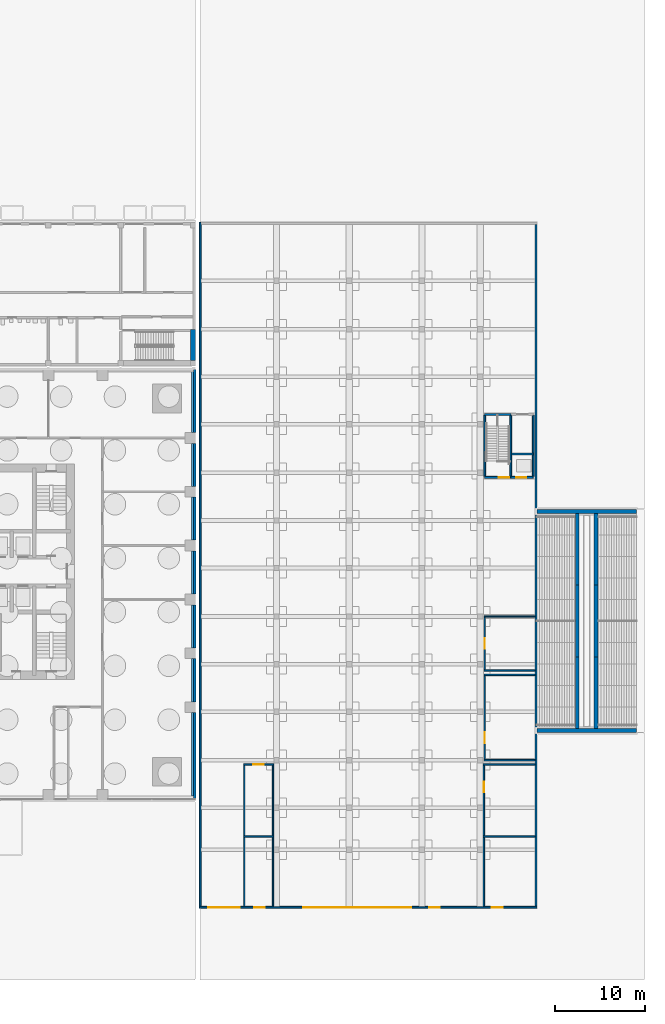
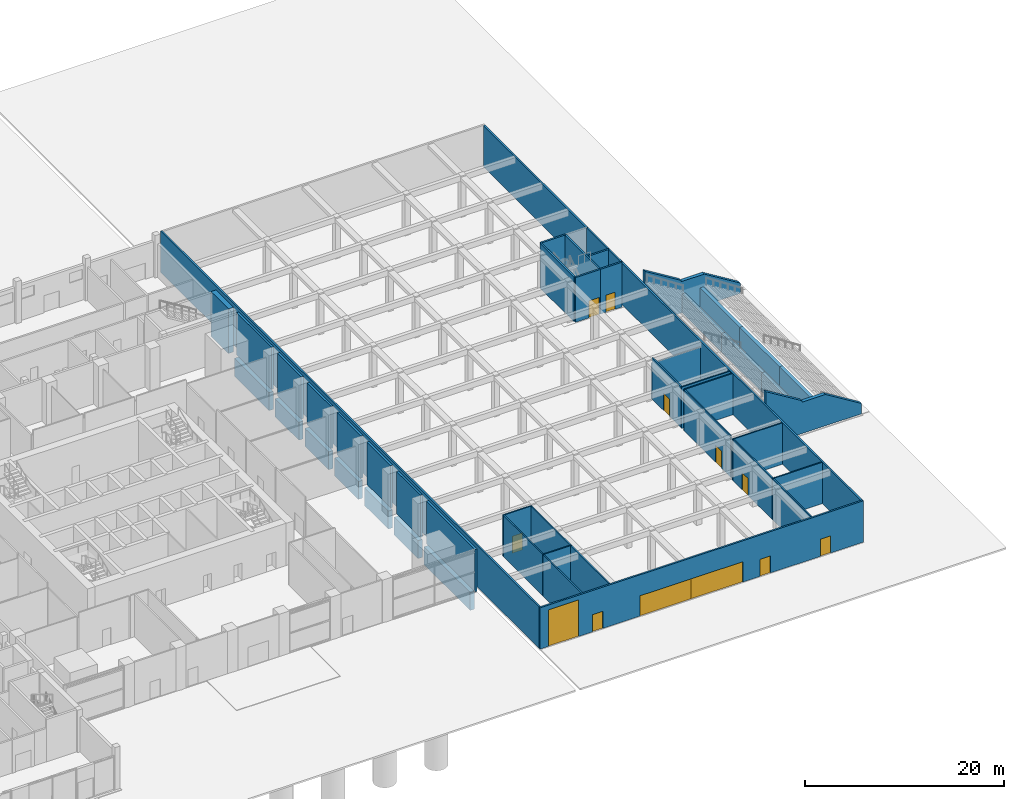
# One storey, part 17 of 33: 49 walls, 12 doors, 12 openings.
"""IFC4 building model written with IfcOpenShell, lengths in metres."""

from ifc_helpers import new_model, si_unit, direction, frame, frame_2d, origin, place, context, subcontext, project, spatial, polyline, rectangle, outline, extrude, material, layer, layer_set, type_object, element, fill, save


model = new_model("IFC4")

# Units and contexts
model_context = context("Model", 3, precision=1e-05, world=origin(), true_north=direction((0.0, 1.0)))
body_context = subcontext(model_context, "Body", "Model", "MODEL_VIEW")
ifc_project = project(units=[si_unit("LENGTHUNIT", "METRE"), si_unit("AREAUNIT", "SQUARE_METRE"), si_unit("VOLUMEUNIT", "CUBIC_METRE"), si_unit("PLANEANGLEUNIT", "RADIAN"), si_unit("MASSUNIT", "GRAM", prefix="KILO")], contexts=[model_context])

# Site, building, storey
site_placement = place(None, origin())
site = spatial("IfcSite", under=ifc_project, at=site_placement, CompositionType="ELEMENT")
building_placement = place(site_placement, origin())
building = spatial("IfcBuilding", under=site, at=building_placement, Name="Amberfall Residences", CompositionType="ELEMENT")
storey_placement = place(building_placement, origin())
storey = spatial("IfcBuildingStorey", under=building, at=storey_placement, Name="L00", CompositionType="ELEMENT", Elevation=0.0)

# Wall, openings, doors
ifc_material_1 = material(Name="Reinforced concrete C40", Category="concrete")
ifc_layer_1 = layer(ifc_material_1, 0.199951171875)
ifc_layer_set_1 = layer_set([ifc_layer_1], Name="Car park wall 200")
wall_type_1 = type_object("IfcWallType", Name="Car park wall 200", PredefinedType="SOLIDWALL", material=ifc_layer_set_1)
wall_1_placement = place(storey_placement, frame((100.39990234375, 8.10009765625, 0.0), z_axis=(0.0, 0.0, 1.0), x_axis=(1.0, 0.0, 0.0)))
wall_1 = element("IfcWall", 1, at=wall_1_placement, inside=storey, type_object=wall_type_1, Name="Car park south wall", PredefinedType="SOLIDWALL", context=body_context, shape_type="SweptSolid", body=[
    extrude(rectangle(XDim=37.60009765625, YDim=0.199951171875, at=frame_2d((18.800048828125, 0.0))), origin(), (0.0, 0.0, 1.0), 5.080078125),
])
opening_1_placement = place(wall_1_placement, frame((11.60009765625, 0.0, 0.0)))
opening_1 = element("IfcOpeningElement", 2, at=opening_1_placement, cuts=wall_1, Name="Opening D11", PredefinedType="OPENING", context=body_context, shape_type="SweptSolid", body=[
    extrude(rectangle(XDim=6.0, YDim=2.5, at=frame_2d((3.0, 1.25))), frame((0.0, 0.10986328125, 0.0), z_axis=(0.0, -1.0, 0.0), x_axis=(1.0, 0.0, 0.0)), (0.0, 0.0, 1.0), 0.219970703125),
])
opening_2_placement = place(wall_1_placement, frame((17.60009765625, 0.0, 0.0)))
opening_2 = element("IfcOpeningElement", 3, at=opening_2_placement, cuts=wall_1, Name="Opening D11", PredefinedType="OPENING", context=body_context, shape_type="SweptSolid", body=[
    extrude(rectangle(XDim=6.0, YDim=2.5, at=frame_2d((3.0, 1.25))), frame((0.0, 0.10986328125, 0.0), z_axis=(0.0, -1.0, 0.0), x_axis=(1.0, 0.0, 0.0)), (0.0, 0.0, 1.0), 0.219970703125),
])
opening_3_placement = place(wall_1_placement, frame((1.0, 0.0, 0.0)))
opening_3 = element("IfcOpeningElement", 4, at=opening_3_placement, cuts=wall_1, Name="Opening D10", PredefinedType="OPENING", context=body_context, shape_type="SweptSolid", body=[
    extrude(rectangle(XDim=3.5, YDim=4.5, at=frame_2d((1.75, 2.25))), frame((0.0, 0.10986328125, 0.0), z_axis=(0.0, -1.0, 0.0), x_axis=(1.0, 0.0, 0.0)), (0.0, 0.0, 1.0), 0.219970703125),
])
opening_4_placement = place(wall_1_placement, frame((25.60009765625, 0.0, 0.0)))
opening_4 = element("IfcOpeningElement", 5, at=opening_4_placement, cuts=wall_1, Name="Opening D15", PredefinedType="OPENING", context=body_context, shape_type="SweptSolid", body=[
    extrude(rectangle(XDim=1.199951171875, YDim=2.10009765625, at=frame_2d((0.60009765625, 1.050048828125))), frame((0.0, 0.10986328125, 0.0), z_axis=(0.0, -1.0, 0.0), x_axis=(1.0, 0.0, 0.0)), (0.0, 0.0, 1.0), 0.219970703125),
])
opening_5_placement = place(wall_1_placement, frame((6.10009765625, 0.0, 0.0)))
opening_5 = element("IfcOpeningElement", 6, at=opening_5_placement, cuts=wall_1, Name="Opening D14", PredefinedType="OPENING", context=body_context, shape_type="SweptSolid", body=[
    extrude(rectangle(XDim=1.199951171875, YDim=2.10009765625, at=frame_2d((0.60009765625, 1.050048828125))), frame((0.0, 0.10986328125, 0.0), z_axis=(0.0, -1.0, 0.0), x_axis=(1.0, 0.0, 0.0)), (0.0, 0.0, 1.0), 0.219970703125),
])
opening_6_placement = place(wall_1_placement, frame((32.60009765625, 0.0, 0.0)))
opening_6 = element("IfcOpeningElement", 7, at=opening_6_placement, cuts=wall_1, Name="Opening D14", PredefinedType="OPENING", context=body_context, shape_type="SweptSolid", body=[
    extrude(rectangle(XDim=1.199951171875, YDim=2.10009765625, at=frame_2d((0.60009765625, 1.050048828125))), frame((0.0, 0.10986328125, 0.0), z_axis=(0.0, -1.0, 0.0), x_axis=(1.0, 0.0, 0.0)), (0.0, 0.0, 1.0), 0.219970703125),
])
ifc_material_2 = material(Name="Galvanised steel door leaf", Category="steel")
door_type_1 = type_object("IfcDoorType", Name="External door 1200x2100", OperationType="SINGLE_SWING_LEFT", PredefinedType="DOOR", material=ifc_material_2)
door_1_placement = place(opening_5_placement, origin())
door_1 = element("IfcDoor", 8, at=door_1_placement, inside=storey, type_object=door_type_1, Name="Refuse room service door", OperationType="SINGLE_SWING_LEFT", OverallHeight=2.10009765625, OverallWidth=1.199951171875, PredefinedType="DOOR", context=body_context, shape_type="SweptSolid", body=[
    extrude(rectangle(XDim=1.199951171875, YDim=2.10009765625, at=frame_2d((0.60009765625, 1.050048828125))), frame((0.0, 0.02490234375, 0.0), z_axis=(0.0, -1.0, 0.0), x_axis=(1.0, 0.0, 0.0)), (0.0, 0.0, 1.0), 0.050048828125),
])
fill(opening_5, door_1)
door_2_placement = place(opening_6_placement, origin())
door_2 = element("IfcDoor", 9, at=door_2_placement, inside=storey, type_object=door_type_1, Name="Switch room service door", OperationType="SINGLE_SWING_LEFT", OverallHeight=2.10009765625, OverallWidth=1.199951171875, PredefinedType="DOOR", context=body_context, shape_type="SweptSolid", body=[
    extrude(rectangle(XDim=1.199951171875, YDim=2.10009765625, at=frame_2d((0.60009765625, 1.050048828125))), frame((0.0, 0.02490234375, 0.0), z_axis=(0.0, -1.0, 0.0), x_axis=(1.0, 0.0, 0.0)), (0.0, 0.0, 1.0), 0.050048828125),
])
fill(opening_6, door_2)
ifc_material_3 = material(Name="Galvanised steel roller shutter", Category="steel")
door_type_2 = type_object("IfcDoorType", Name="Loading bay gate 3500x4500", OperationType="ROLLINGUP", PredefinedType="GATE", material=ifc_material_3)
door_3_placement = place(opening_3_placement, origin())
door_3 = element("IfcDoor", 10, at=door_3_placement, inside=storey, type_object=door_type_2, Name="Loading bay door", OperationType="ROLLINGUP", OverallHeight=4.5, OverallWidth=3.5, PredefinedType="GATE", context=body_context, shape_type="SweptSolid", body=[
    extrude(rectangle(XDim=3.5, YDim=4.5, at=frame_2d((1.75, 2.25))), frame((0.0, 0.02490234375, 0.0), z_axis=(0.0, -1.0, 0.0), x_axis=(1.0, 0.0, 0.0)), (0.0, 0.0, 1.0), 0.050048828125),
])
fill(opening_3, door_3)
ifc_material_4 = material(Name="Galvanised steel gate", Category="steel")
door_type_3 = type_object("IfcDoorType", Name="Pedestrian gate 1200x2100", OperationType="SINGLE_SWING_LEFT", PredefinedType="GATE", material=ifc_material_4)
door_4_placement = place(opening_4_placement, origin())
door_4 = element("IfcDoor", 11, at=door_4_placement, inside=storey, type_object=door_type_3, Name="Car park pedestrian gate", OperationType="SINGLE_SWING_LEFT", OverallHeight=2.10009765625, OverallWidth=1.199951171875, PredefinedType="GATE", context=body_context, shape_type="SweptSolid", body=[
    extrude(rectangle(XDim=1.199951171875, YDim=2.10009765625, at=frame_2d((0.60009765625, 1.050048828125))), frame((0.0, 0.02490234375, 0.0), z_axis=(0.0, -1.0, 0.0), x_axis=(1.0, 0.0, 0.0)), (0.0, 0.0, 1.0), 0.050048828125),
])
fill(opening_4, door_4)
door_type_4 = type_object("IfcDoorType", Name="Vehicle gate 6000x2500", OperationType="SLIDING_TO_LEFT", PredefinedType="GATE", material=ifc_material_4)
door_5_placement = place(opening_1_placement, origin())
door_5 = element("IfcDoor", 12, at=door_5_placement, inside=storey, type_object=door_type_4, Name="Car park entry gate", OperationType="SLIDING_TO_LEFT", OverallHeight=2.5, OverallWidth=6.0, PredefinedType="GATE", context=body_context, shape_type="SweptSolid", body=[
    extrude(rectangle(XDim=6.0, YDim=2.5, at=frame_2d((3.0, 1.25))), frame((0.0, 0.02490234375, 0.0), z_axis=(0.0, -1.0, 0.0), x_axis=(1.0, 0.0, 0.0)), (0.0, 0.0, 1.0), 0.050048828125),
])
fill(opening_1, door_5)
door_6_placement = place(opening_2_placement, origin())
door_6 = element("IfcDoor", 13, at=door_6_placement, inside=storey, type_object=door_type_4, Name="Car park exit gate", OperationType="SLIDING_TO_LEFT", OverallHeight=2.5, OverallWidth=6.0, PredefinedType="GATE", context=body_context, shape_type="SweptSolid", body=[
    extrude(rectangle(XDim=6.0, YDim=2.5, at=frame_2d((3.0, 1.25))), frame((0.0, 0.02490234375, 0.0), z_axis=(0.0, -1.0, 0.0), x_axis=(1.0, 0.0, 0.0)), (0.0, 0.0, 1.0), 0.050048828125),
])
fill(opening_2, door_6)

# Walls
wall_2_placement = place(storey_placement, frame((100.5, 8.199951171875, 0.0), z_axis=(0.0, 0.0, 1.0), x_axis=(0.0, 1.0, 0.0)))
element("IfcWall", 14, at=wall_2_placement, inside=storey, type_object=wall_type_1, Name="Car park west wall", PredefinedType="SOLIDWALL", context=body_context, shape_type="SweptSolid", body=[
    extrude(rectangle(XDim=76.199951171875, YDim=0.199951171875, at=frame_2d((38.10009765625, 0.0))), origin(), (0.0, 0.0, 1.0), 5.080078125),
])
wall_3_placement = place(storey_placement, frame((137.89990234375, 8.199951171875, 0.0), z_axis=(0.0, 0.0, 1.0), x_axis=(0.0, 1.0, 0.0)))
element("IfcWall", 15, at=wall_3_placement, inside=storey, type_object=wall_type_1, Name="Car park east wall", PredefinedType="SOLIDWALL", context=body_context, shape_type="SweptSolid", body=[
    extrude(rectangle(XDim=76.0, YDim=0.199951171875, at=frame_2d((38.0, 0.0))), origin(), (0.0, 0.0, 1.0), 5.080078125),
])
ifc_material_5 = material(Name="Concrete C45", Category="concrete")
ifc_layer_2 = layer(ifc_material_5, 0.5)
ifc_layer_set_2 = layer_set([ifc_layer_2], Name="Foundation plinth wall 500 C45")
wall_type_2 = type_object("IfcWallType", Name="Foundation plinth wall 500 C45", PredefinedType="SOLIDWALL", material=ifc_layer_set_2)
wall_4_placement = place(storey_placement, frame((99.75, 20.5, -2.5), z_axis=(0.0, 0.0, 1.0), x_axis=(0.0, 1.0, 0.0)))
element("IfcWall", 16, at=wall_4_placement, inside=storey, type_object=wall_type_2, Name="Foundation plinth wall FW1 E1", PredefinedType="SOLIDWALL", context=body_context, shape_type="SweptSolid", body=[
    extrude(rectangle(XDim=9.300048828125, YDim=0.5, at=frame_2d((4.64990234375, 0.0))), origin(), (0.0, 0.0, 1.0), 2.199951171875),
])
for number, where, z_axis, x_axis, name in (
    (17, (99.75, 31.0, -2.5), (0.0, 0.0, 1.0), (0.0, 1.0, 0.0), "Foundation plinth wall FW1 E2"),
    (18, (99.75, 37.0, -2.5), (0.0, 0.0, 1.0), (0.0, 1.0, 0.0), "Foundation plinth wall FW1 E3"),
    (19, (99.75, 43.0, -2.5), (0.0, 0.0, 1.0), (0.0, 1.0, 0.0), "Foundation plinth wall FW1 E4"),
    (20, (99.75, 49.0, -2.5), (0.0, 0.0, 1.0), (0.0, 1.0, 0.0), "Foundation plinth wall FW1 E5"),
    (21, (99.75, 55.0, -2.5), (0.0, 0.0, 1.0), (0.0, 1.0, 0.0), "Foundation plinth wall FW1 E6"),
):
    element("IfcWall", number, at=place(storey_placement, frame(where, z_axis=z_axis, x_axis=x_axis)), inside=storey, type_object=wall_type_2, Name=name, PredefinedType="SOLIDWALL", context=body_context, shape_type="SweptSolid", body=[
        extrude(rectangle(XDim=4.800048828125, YDim=0.5, at=frame_2d((2.39990234375, 0.0))), origin(), (0.0, 0.0, 1.0), 2.199951171875),
    ])
wall_5_placement = place(storey_placement, frame((99.75, 61.0, -2.5), z_axis=(0.0, 0.0, 1.0), x_axis=(0.0, 1.0, 0.0)))
element("IfcWall", 22, at=wall_5_placement, inside=storey, type_object=wall_type_2, Name="Foundation plinth wall FW1 E7", PredefinedType="SOLIDWALL", context=body_context, shape_type="SweptSolid", body=[
    extrude(rectangle(XDim=7.0, YDim=0.5, at=frame_2d((3.5, 0.0))), origin(), (0.0, 0.0, 1.0), 2.199951171875),
])

# Wall, opening, door
ifc_layer_3 = layer(ifc_material_1, 0.199951171875)
ifc_layer_set_3 = layer_set([ifc_layer_3], Name="Lift head wall 200")
wall_type_3 = type_object("IfcWallType", Name="Lift head wall 200", PredefinedType="SOLIDWALL", material=ifc_layer_set_3)
wall_6_placement = place(storey_placement, frame((135.10009765625, 56.0, 0.0), z_axis=(0.0, 0.0, 1.0), x_axis=(1.0, 0.0, 0.0)))
wall_6 = element("IfcWall", 23, at=wall_6_placement, inside=storey, type_object=wall_type_3, Name="Garden lift south wall", PredefinedType="SOLIDWALL", context=body_context, shape_type="SweptSolid", body=[
    extrude(rectangle(XDim=2.5, YDim=0.199951171875, at=frame_2d((1.25, 0.0))), origin(), (0.0, 0.0, 1.0), 5.5),
])
opening_7_placement = place(wall_6_placement, frame((0.60009765625, 0.0, 0.0)))
opening_7 = element("IfcOpeningElement", 24, at=opening_7_placement, cuts=wall_6, Name="Opening LD5", PredefinedType="OPENING", context=body_context, shape_type="SweptSolid", body=[
    extrude(rectangle(XDim=1.10009765625, YDim=2.10009765625, at=frame_2d((0.550048828125, 1.050048828125))), frame((0.0, 0.10986328125, 0.0), z_axis=(0.0, -1.0, 0.0), x_axis=(1.0, 0.0, 0.0)), (0.0, 0.0, 1.0), 0.219970703125),
])
ifc_material_6 = material(Name="Stainless steel sliding door leaf", Category="steel")
door_type_5 = type_object("IfcDoorType", Name="Landing door 1100x2100", OperationType="SLIDING_TO_LEFT", PredefinedType="DOOR", material=ifc_material_6)
door_7_placement = place(opening_7_placement, origin())
door_7 = element("IfcDoor", 25, at=door_7_placement, inside=storey, type_object=door_type_5, Name="Garden lift landing door", OperationType="SLIDING_TO_LEFT", OverallHeight=2.10009765625, OverallWidth=1.10009765625, PredefinedType="DOOR", context=body_context, shape_type="SweptSolid", body=[
    extrude(rectangle(XDim=1.10009765625, YDim=2.10009765625, at=frame_2d((0.550048828125, 1.050048828125))), frame((0.0, 0.02490234375, 0.0), z_axis=(0.0, -1.0, 0.0), x_axis=(1.0, 0.0, 0.0)), (0.0, 0.0, 1.0), 0.050048828125),
])
fill(opening_7, door_7)

# Walls
wall_7_placement = place(storey_placement, frame((135.199951171875, 58.60009765625, 0.0), z_axis=(0.0, 0.0, 1.0), x_axis=(1.0, 0.0, 0.0)))
element("IfcWall", 26, at=wall_7_placement, inside=storey, type_object=wall_type_3, Name="Garden lift north wall", PredefinedType="SOLIDWALL", context=body_context, shape_type="SweptSolid", body=[
    extrude(rectangle(XDim=2.400146484375, YDim=0.199951171875, at=frame_2d((1.2001953125, 0.0))), origin(), (0.0, 0.0, 1.0), 5.5),
])
wall_8_placement = place(storey_placement, frame((137.60009765625, 56.10009765625, 0.0), z_axis=(0.0, 0.0, 1.0), x_axis=(0.0, 1.0, 0.0)))
element("IfcWall", 27, at=wall_8_placement, inside=storey, type_object=wall_type_3, Name="Garden lift and riser east wall", PredefinedType="SOLIDWALL", context=body_context, shape_type="SweptSolid", body=[
    extrude(rectangle(XDim=6.7998046875, YDim=0.199951171875, at=frame_2d((3.39990234375, 0.0))), origin(), (0.0, 0.0, 1.0), 5.5),
])
ifc_material_7 = material(Name="Concrete blockwork", Category="masonry")
ifc_layer_4 = layer(ifc_material_7, 0.199951171875)
ifc_layer_set_4 = layer_set([ifc_layer_4], Name="Plant room wall 200")
wall_type_4 = type_object("IfcWallType", Name="Plant room wall 200", PredefinedType="SOLIDWALL", material=ifc_layer_set_4)
wall_9_placement = place(storey_placement, frame((105.324951171875, 16.0, 0.0), z_axis=(0.0, 0.0, 1.0), x_axis=(1.0, 0.0, 0.0)))
element("IfcWall", 28, at=wall_9_placement, inside=storey, type_object=wall_type_4, Name="Refuse collection room wall", PredefinedType="SOLIDWALL", context=body_context, shape_type="SweptSolid", body=[
    extrude(rectangle(XDim=3.35009765625, YDim=0.14990234375, at=frame_2d((1.675048828125, 0.0))), origin(), (0.0, 0.0, 1.0), 5.080078125),
])
for number, where, z_axis, x_axis, name in (
    (29, (105.39990234375, 8.199951171875, 0.0), (0.0, 0.0, 1.0), (0.0, 1.0, 0.0), "Refuse collection room wall"),
    (30, (108.60009765625, 8.199951171875, 0.0), (0.0, 0.0, 1.0), (0.0, 1.0, 0.0), "Refuse collection room wall"),
):
    element("IfcWall", number, at=place(storey_placement, frame(where, z_axis=z_axis, x_axis=x_axis)), inside=storey, type_object=wall_type_4, Name=name, PredefinedType="SOLIDWALL", context=body_context, shape_type="SweptSolid", body=[
        extrude(rectangle(XDim=7.72509765625, YDim=0.14990234375, at=frame_2d((3.862548828125, 0.0))), origin(), (0.0, 0.0, 1.0), 5.080078125),
    ])

# Wall, opening, door
wall_10_placement = place(storey_placement, frame((105.324951171875, 24.0, 0.0), z_axis=(0.0, 0.0, 1.0), x_axis=(1.0, 0.0, 0.0)))
wall_10 = element("IfcWall", 31, at=wall_10_placement, inside=storey, type_object=wall_type_4, Name="Garden pump room wall", PredefinedType="SOLIDWALL", context=body_context, shape_type="SweptSolid", body=[
    extrude(rectangle(XDim=3.35009765625, YDim=0.14990234375, at=frame_2d((1.675048828125, 0.0))), origin(), (0.0, 0.0, 1.0), 5.080078125),
])
opening_8_placement = place(wall_10_placement, frame((1.074951171875, 0.0, 0.0)))
opening_8 = element("IfcOpeningElement", 32, at=opening_8_placement, cuts=wall_10, Name="Opening D7", PredefinedType="OPENING", context=body_context, shape_type="SweptSolid", body=[
    extrude(rectangle(XDim=1.199951171875, YDim=2.10009765625, at=frame_2d((0.60009765625, 1.050048828125))), frame((0.0, 0.0849609375, 0.0), z_axis=(0.0, -1.0, 0.0), x_axis=(1.0, 0.0, 0.0)), (0.0, 0.0, 1.0), 0.169921875),
])
ifc_material_8 = material(Name="Steel fire door leaf", Category="steel")
door_type_6 = type_object("IfcDoorType", Name="Plant room door 1200x2100", OperationType="SINGLE_SWING_LEFT", PredefinedType="DOOR", material=ifc_material_8)
door_8_placement = place(opening_8_placement, origin())
door_8 = element("IfcDoor", 33, at=door_8_placement, inside=storey, type_object=door_type_6, Name="Door Garden pump room", OperationType="SINGLE_SWING_LEFT", OverallHeight=2.10009765625, OverallWidth=1.199951171875, PredefinedType="DOOR", context=body_context, shape_type="SweptSolid", body=[
    extrude(rectangle(XDim=1.199951171875, YDim=2.10009765625, at=frame_2d((0.60009765625, 1.050048828125))), frame((0.0, 0.02490234375, 0.0), z_axis=(0.0, -1.0, 0.0), x_axis=(1.0, 0.0, 0.0)), (0.0, 0.0, 1.0), 0.050048828125),
])
fill(opening_8, door_8)

# Walls
for number, where, z_axis, x_axis, name in (
    (34, (105.39990234375, 16.074951171875, 0.0), (0.0, 0.0, 1.0), (0.0, 1.0, 0.0), "Garden pump room wall"),
    (35, (108.60009765625, 16.074951171875, 0.0), (0.0, 0.0, 1.0), (0.0, 1.0, 0.0), "Garden pump room wall"),
):
    element("IfcWall", number, at=place(storey_placement, frame(where, z_axis=z_axis, x_axis=x_axis)), inside=storey, type_object=wall_type_4, Name=name, PredefinedType="SOLIDWALL", context=body_context, shape_type="SweptSolid", body=[
        extrude(rectangle(XDim=7.85009765625, YDim=0.14990234375, at=frame_2d((3.925048828125, 0.0))), origin(), (0.0, 0.0, 1.0), 5.080078125),
    ])
wall_11_placement = place(storey_placement, frame((132.02490234375, 16.0, 0.0), z_axis=(0.0, 0.0, 1.0), x_axis=(1.0, 0.0, 0.0)))
element("IfcWall", 36, at=wall_11_placement, inside=storey, type_object=wall_type_4, Name="Car park switch room wall", PredefinedType="SOLIDWALL", context=body_context, shape_type="SweptSolid", body=[
    extrude(rectangle(XDim=5.775146484375, YDim=0.14990234375, at=frame_2d((2.8876953125, 0.0))), origin(), (0.0, 0.0, 1.0), 5.080078125),
])
wall_12_placement = place(storey_placement, frame((132.10009765625, 8.199951171875, 0.0), z_axis=(0.0, 0.0, 1.0), x_axis=(0.0, 1.0, 0.0)))
element("IfcWall", 37, at=wall_12_placement, inside=storey, type_object=wall_type_4, Name="Car park switch room wall", PredefinedType="SOLIDWALL", context=body_context, shape_type="SweptSolid", body=[
    extrude(rectangle(XDim=7.72509765625, YDim=0.14990234375, at=frame_2d((3.862548828125, 0.0))), origin(), (0.0, 0.0, 1.0), 5.080078125),
])
wall_13_placement = place(storey_placement, frame((132.02490234375, 24.0, 0.0), z_axis=(0.0, 0.0, 1.0), x_axis=(1.0, 0.0, 0.0)))
element("IfcWall", 38, at=wall_13_placement, inside=storey, type_object=wall_type_4, Name="Car park transformer room wall", PredefinedType="SOLIDWALL", context=body_context, shape_type="SweptSolid", body=[
    extrude(rectangle(XDim=5.775146484375, YDim=0.14990234375, at=frame_2d((2.8876953125, 0.0))), origin(), (0.0, 0.0, 1.0), 5.080078125),
])

# Wall, opening, door
wall_14_placement = place(storey_placement, frame((132.10009765625, 16.074951171875, 0.0), z_axis=(0.0, 0.0, 1.0), x_axis=(0.0, 1.0, 0.0)))
wall_14 = element("IfcWall", 39, at=wall_14_placement, inside=storey, type_object=wall_type_4, Name="Car park transformer room wall", PredefinedType="SOLIDWALL", context=body_context, shape_type="SweptSolid", body=[
    extrude(rectangle(XDim=7.85009765625, YDim=0.14990234375, at=frame_2d((3.925048828125, 0.0))), origin(), (0.0, 0.0, 1.0), 5.080078125),
])
opening_9_placement = place(wall_14_placement, frame((4.824951171875, 0.0, 0.0)))
opening_9 = element("IfcOpeningElement", 40, at=opening_9_placement, cuts=wall_14, Name="Opening D7", PredefinedType="OPENING", context=body_context, shape_type="SweptSolid", body=[
    extrude(rectangle(XDim=1.199951171875, YDim=2.10009765625, at=frame_2d((0.60009765625, 1.050048828125))), frame((0.0, 0.0849609375, 0.0), z_axis=(0.0, -1.0, 0.0), x_axis=(1.0, 0.0, 0.0)), (0.0, 0.0, 1.0), 0.169921875),
])
door_9_placement = place(opening_9_placement, origin())
door_9 = element("IfcDoor", 41, at=door_9_placement, inside=storey, type_object=door_type_6, Name="Door Car park transformer room", OperationType="SINGLE_SWING_LEFT", OverallHeight=2.10009765625, OverallWidth=1.199951171875, PredefinedType="DOOR", context=body_context, shape_type="SweptSolid", body=[
    extrude(rectangle(XDim=1.199951171875, YDim=2.10009765625, at=frame_2d((0.60009765625, 1.050048828125))), frame((0.0, 0.02490234375, 0.0), z_axis=(0.0, -1.0, 0.0), x_axis=(1.0, 0.0, 0.0)), (0.0, 0.0, 1.0), 0.050048828125),
])
fill(opening_9, door_9)

# Walls
wall_15_placement = place(storey_placement, frame((132.125, 34.0, 0.0), z_axis=(0.0, 0.0, 1.0), x_axis=(1.0, 0.0, 0.0)))
element("IfcWall", 42, at=wall_15_placement, inside=storey, type_object=wall_type_4, Name="Garden bin store wall", PredefinedType="SOLIDWALL", context=body_context, shape_type="SweptSolid", body=[
    extrude(rectangle(XDim=5.675048828125, YDim=0.14990234375, at=frame_2d((2.83740234375, 0.0))), origin(), (0.0, 0.0, 1.0), 5.080078125),
])
wall_16_placement = place(storey_placement, frame((132.125, 24.5, 0.0), z_axis=(0.0, 0.0, 1.0), x_axis=(1.0, 0.0, 0.0)))
element("IfcWall", 43, at=wall_16_placement, inside=storey, type_object=wall_type_4, Name="Garden bin store wall", PredefinedType="SOLIDWALL", context=body_context, shape_type="SweptSolid", body=[
    extrude(rectangle(XDim=5.675048828125, YDim=0.14990234375, at=frame_2d((2.83740234375, 0.0))), origin(), (0.0, 0.0, 1.0), 4.3798828125),
])

# Wall, opening, door
wall_17_placement = place(storey_placement, frame((132.199951171875, 24.574951171875, 0.0), z_axis=(0.0, 0.0, 1.0), x_axis=(0.0, 1.0, 0.0)))
wall_17 = element("IfcWall", 44, at=wall_17_placement, inside=storey, type_object=wall_type_4, Name="Garden bin store wall", PredefinedType="SOLIDWALL", context=body_context, shape_type="SweptSolid", body=[
    extrude(rectangle(XDim=9.35009765625, YDim=0.14990234375, at=frame_2d((4.675048828125, 0.0))), origin(), (0.0, 0.0, 1.0), 5.080078125),
])
opening_10_placement = place(wall_17_placement, frame((1.824951171875, 0.0, 0.0)))
opening_10 = element("IfcOpeningElement", 45, at=opening_10_placement, cuts=wall_17, Name="Opening D7", PredefinedType="OPENING", context=body_context, shape_type="SweptSolid", body=[
    extrude(rectangle(XDim=1.199951171875, YDim=2.10009765625, at=frame_2d((0.60009765625, 1.050048828125))), frame((0.0, 0.0849609375, 0.0), z_axis=(0.0, -1.0, 0.0), x_axis=(1.0, 0.0, 0.0)), (0.0, 0.0, 1.0), 0.169921875),
])
door_10_placement = place(opening_10_placement, origin())
door_10 = element("IfcDoor", 46, at=door_10_placement, inside=storey, type_object=door_type_6, Name="Door Garden bin store", OperationType="SINGLE_SWING_LEFT", OverallHeight=2.10009765625, OverallWidth=1.199951171875, PredefinedType="DOOR", context=body_context, shape_type="SweptSolid", body=[
    extrude(rectangle(XDim=1.199951171875, YDim=2.10009765625, at=frame_2d((0.60009765625, 1.050048828125))), frame((0.0, 0.02490234375, 0.0), z_axis=(0.0, -1.0, 0.0), x_axis=(1.0, 0.0, 0.0)), (0.0, 0.0, 1.0), 0.050048828125),
])
fill(opening_10, door_10)

# Walls
wall_18_placement = place(storey_placement, frame((132.125, 40.5, 0.0), z_axis=(0.0, 0.0, 1.0), x_axis=(1.0, 0.0, 0.0)))
element("IfcWall", 47, at=wall_18_placement, inside=storey, type_object=wall_type_4, Name="Car park control room wall", PredefinedType="SOLIDWALL", context=body_context, shape_type="SweptSolid", body=[
    extrude(rectangle(XDim=5.675048828125, YDim=0.14990234375, at=frame_2d((2.83740234375, 0.0))), origin(), (0.0, 0.0, 1.0), 4.3798828125),
])
wall_19_placement = place(storey_placement, frame((132.125, 34.5, 0.0), z_axis=(0.0, 0.0, 1.0), x_axis=(1.0, 0.0, 0.0)))
element("IfcWall", 48, at=wall_19_placement, inside=storey, type_object=wall_type_4, Name="Car park control room wall", PredefinedType="SOLIDWALL", context=body_context, shape_type="SweptSolid", body=[
    extrude(rectangle(XDim=5.675048828125, YDim=0.14990234375, at=frame_2d((2.83740234375, 0.0))), origin(), (0.0, 0.0, 1.0), 5.080078125),
])

# Wall, opening, door
wall_20_placement = place(storey_placement, frame((132.199951171875, 34.574951171875, 0.0), z_axis=(0.0, 0.0, 1.0), x_axis=(0.0, 1.0, 0.0)))
wall_20 = element("IfcWall", 49, at=wall_20_placement, inside=storey, type_object=wall_type_4, Name="Car park control room wall", PredefinedType="SOLIDWALL", context=body_context, shape_type="SweptSolid", body=[
    extrude(rectangle(XDim=5.85009765625, YDim=0.14990234375, at=frame_2d((2.925048828125, 0.0))), origin(), (0.0, 0.0, 1.0), 5.080078125),
])
opening_11_placement = place(wall_20_placement, frame((2.324951171875, 0.0, 0.0)))
opening_11 = element("IfcOpeningElement", 50, at=opening_11_placement, cuts=wall_20, Name="Opening D7", PredefinedType="OPENING", context=body_context, shape_type="SweptSolid", body=[
    extrude(rectangle(XDim=1.199951171875, YDim=2.10009765625, at=frame_2d((0.60009765625, 1.050048828125))), frame((0.0, 0.0849609375, 0.0), z_axis=(0.0, -1.0, 0.0), x_axis=(1.0, 0.0, 0.0)), (0.0, 0.0, 1.0), 0.169921875),
])
door_11_placement = place(opening_11_placement, origin())
door_11 = element("IfcDoor", 51, at=door_11_placement, inside=storey, type_object=door_type_6, Name="Door Car park control room", OperationType="SINGLE_SWING_LEFT", OverallHeight=2.10009765625, OverallWidth=1.199951171875, PredefinedType="DOOR", context=body_context, shape_type="SweptSolid", body=[
    extrude(rectangle(XDim=1.199951171875, YDim=2.10009765625, at=frame_2d((0.60009765625, 1.050048828125))), frame((0.0, 0.02490234375, 0.0), z_axis=(0.0, -1.0, 0.0), x_axis=(1.0, 0.0, 0.0)), (0.0, 0.0, 1.0), 0.050048828125),
])
fill(opening_11, door_11)

# Walls
ifc_material_9 = material(Name="Precast concrete C40", Category="concrete")
ifc_layer_5 = layer(ifc_material_9, 0.25)
ifc_layer_set_5 = layer_set([ifc_layer_5], Name="Podium external wall 250")
wall_type_5 = type_object("IfcWallType", Name="Podium external wall 250", PredefinedType="SOLIDWALL", material=ifc_layer_set_5)
wall_21_placement = place(storey_placement, frame((99.89990234375, 20.0, 0.0), z_axis=(0.0, 0.0, 1.0), x_axis=(0.0, 1.0, 0.0)))
element("IfcWall", 52, at=wall_21_placement, inside=storey, type_object=wall_type_5, Name="Podium external wall E1", PredefinedType="SOLIDWALL", context=body_context, shape_type="SweptSolid", body=[
    extrude(rectangle(XDim=9.800048828125, YDim=0.25, at=frame_2d((4.89990234375, 0.0))), origin(), (0.0, 0.0, 1.0), 5.199951171875),
])
for number, where, z_axis, x_axis, name in (
    (53, (99.89990234375, 31.0, 0.0), (0.0, 0.0, 1.0), (0.0, 1.0, 0.0), "Podium external wall E2"),
    (54, (99.89990234375, 37.0, 0.0), (0.0, 0.0, 1.0), (0.0, 1.0, 0.0), "Podium external wall E3"),
    (55, (99.89990234375, 43.0, 0.0), (0.0, 0.0, 1.0), (0.0, 1.0, 0.0), "Podium external wall E4"),
    (56, (99.89990234375, 49.0, 0.0), (0.0, 0.0, 1.0), (0.0, 1.0, 0.0), "Podium external wall E5"),
    (57, (99.89990234375, 55.0, 0.0), (0.0, 0.0, 1.0), (0.0, 1.0, 0.0), "Podium external wall E6"),
):
    element("IfcWall", number, at=place(storey_placement, frame(where, z_axis=z_axis, x_axis=x_axis)), inside=storey, type_object=wall_type_5, Name=name, PredefinedType="SOLIDWALL", context=body_context, shape_type="SweptSolid", body=[
        extrude(rectangle(XDim=4.800048828125, YDim=0.25, at=frame_2d((2.39990234375, 0.0))), origin(), (0.0, 0.0, 1.0), 5.199951171875),
    ])
wall_22_placement = place(storey_placement, frame((99.89990234375, 61.0, 0.0), z_axis=(0.0, 0.0, 1.0), x_axis=(0.0, 1.0, 0.0)))
element("IfcWall", 58, at=wall_22_placement, inside=storey, type_object=wall_type_5, Name="Podium external wall E7", PredefinedType="SOLIDWALL", context=body_context, shape_type="SweptSolid", body=[
    extrude(rectangle(XDim=7.0, YDim=0.25, at=frame_2d((3.5, 0.0))), origin(), (0.0, 0.0, 1.0), 5.199951171875),
])
ifc_material_10 = material(Name="Concrete C50", Category="concrete")
ifc_layer_6 = layer(ifc_material_10, 0.60009765625)
ifc_layer_set_6 = layer_set([ifc_layer_6], Name="School tower-side core wall 600 C50")
wall_type_6 = type_object("IfcWallType", Name="School tower-side core wall 600 C50", PredefinedType="SHEAR", material=ifc_layer_set_6)
wall_23_placement = place(storey_placement, frame((99.699951171875, 69.0, -0.300048828125), z_axis=(0.0, 0.0, 1.0), x_axis=(0.0, 1.0, 0.0)))
element("IfcWall", 59, at=wall_23_placement, inside=storey, type_object=wall_type_6, Name="School core wall L00 SS5EE", PredefinedType="SHEAR", context=body_context, shape_type="SweptSolid", body=[
    extrude(rectangle(XDim=3.5, YDim=0.60009765625, at=frame_2d((1.75, 0.0))), origin(), (0.0, 0.0, 1.0), 5.5),
])
ifc_layer_7 = layer(ifc_material_1, 0.39990234375)
ifc_layer_set_7 = layer_set([ifc_layer_7], Name="Stair cheek wall 400")
wall_type_7 = type_object("IfcWallType", Name="Stair cheek wall 400", PredefinedType="SOLIDWALL", material=ifc_layer_set_7)
for number, where, z_axis, x_axis, name in (
    (60, (149.10009765625, 27.800048828125, 0.0), (0.0, 0.0, 1.0), (-1.0, 0.0, 0.0), "Deck stair cheek wall S"),
    (61, (149.10009765625, 52.199951171875, 0.0), (0.0, 0.0, 1.0), (-1.0, 0.0, 0.0), "Deck stair cheek wall N"),
):
    element("IfcWall", number, at=place(storey_placement, frame(where, z_axis=z_axis, x_axis=x_axis)), inside=storey, type_object=wall_type_7, Name=name, PredefinedType="SOLIDWALL", context=body_context, shape_type="SweptSolid", body=[
        extrude(outline(polyline([(0.0, 0.0), (11.10009765625, 0.0), (11.10009765625, 6.60009765625), (6.89990234375, 4.02197265625), (6.89990234375, 3.85009765625), (4.199951171875, 3.85009765625), (0.0, 1.27197265625), (0.0, 0.0)])), frame((0.0, 0.199951171875, 0.0), z_axis=(0.0, -1.0, 0.0), x_axis=(1.0, 0.0, 0.0)), (0.0, 0.0, 1.0), 0.39990234375),
    ])
ifc_layer_8 = layer(ifc_material_1, 0.39990234375)
ifc_layer_set_8 = layer_set([ifc_layer_8], Name="Stair terrace support wall 400")
wall_type_8 = type_object("IfcWallType", Name="Stair terrace support wall 400", PredefinedType="SOLIDWALL", material=ifc_layer_set_8)
for number, where, z_axis, x_axis, name in (
    (62, (144.60009765625, 28.0, 0.0), (0.0, 0.0, 1.0), (0.0, 1.0, 0.0), "Deck stair terrace support wall"),
    (63, (144.60009765625, 36.0, 0.0), (0.0, 0.0, 1.0), (0.0, 1.0, 0.0), "Deck stair terrace support wall"),
    (64, (144.60009765625, 44.0, 0.0), (0.0, 0.0, 1.0), (0.0, 1.0, 0.0), "Deck stair terrace support wall"),
    (65, (142.5, 28.0, 0.0), (0.0, 0.0, 1.0), (0.0, 1.0, 0.0), "Deck stair terrace support wall"),
    (66, (142.5, 36.0, 0.0), (0.0, 0.0, 1.0), (0.0, 1.0, 0.0), "Deck stair terrace support wall"),
    (67, (142.5, 44.0, 0.0), (0.0, 0.0, 1.0), (0.0, 1.0, 0.0), "Deck stair terrace support wall"),
):
    element("IfcWall", number, at=place(storey_placement, frame(where, z_axis=z_axis, x_axis=x_axis)), inside=storey, type_object=wall_type_8, Name=name, PredefinedType="SOLIDWALL", context=body_context, shape_type="SweptSolid", body=[
        extrude(rectangle(XDim=8.0, YDim=0.39990234375, at=frame_2d((4.0, 0.0))), origin(), (0.0, 0.0, 1.0), 2.330078125),
    ])

# Wall, opening, door
ifc_layer_9 = layer(ifc_material_1, 0.199951171875)
ifc_layer_set_9 = layer_set([ifc_layer_9], Name="Stair wall 200")
wall_type_9 = type_object("IfcWallType", Name="Stair wall 200", PredefinedType="SOLIDWALL", material=ifc_layer_set_9)
wall_24_placement = place(storey_placement, frame((132.199951171875, 56.0, 0.0), z_axis=(0.0, 0.0, 1.0), x_axis=(1.0, 0.0, 0.0)))
wall_24 = element("IfcWall", 68, at=wall_24_placement, inside=storey, type_object=wall_type_9, Name="Garden stair south wall", PredefinedType="SOLIDWALL", context=body_context, shape_type="SweptSolid", body=[
    extrude(rectangle(XDim=2.900146484375, YDim=0.199951171875, at=frame_2d((1.4501953125, 0.0))), origin(), (0.0, 0.0, 1.0), 5.5),
])
opening_12_placement = place(wall_24_placement, frame((1.550048828125, 0.0, 0.0)))
opening_12 = element("IfcOpeningElement", 69, at=opening_12_placement, cuts=wall_24, Name="Opening D6", PredefinedType="OPENING", context=body_context, shape_type="SweptSolid", body=[
    extrude(rectangle(XDim=1.199951171875, YDim=2.10009765625, at=frame_2d((0.60009765625, 1.050048828125))), frame((0.0, 0.10986328125, 0.0), z_axis=(0.0, -1.0, 0.0), x_axis=(1.0, 0.0, 0.0)), (0.0, 0.0, 1.0), 0.219970703125),
])
door_type_7 = type_object("IfcDoorType", Name="Exit door 1200x2100", OperationType="SINGLE_SWING_LEFT", PredefinedType="DOOR", material=ifc_material_8)
door_12_placement = place(opening_12_placement, origin())
door_12 = element("IfcDoor", 70, at=door_12_placement, inside=storey, type_object=door_type_7, Name="Garden stair door", OperationType="SINGLE_SWING_LEFT", OverallHeight=2.10009765625, OverallWidth=1.199951171875, PredefinedType="DOOR", context=body_context, shape_type="SweptSolid", body=[
    extrude(rectangle(XDim=1.199951171875, YDim=2.10009765625, at=frame_2d((0.60009765625, 1.050048828125))), frame((0.0, 0.02490234375, 0.0), z_axis=(0.0, -1.0, 0.0), x_axis=(1.0, 0.0, 0.0)), (0.0, 0.0, 1.0), 0.050048828125),
])
fill(opening_12, door_12)

# Walls
wall_25_placement = place(storey_placement, frame((132.199951171875, 63.0, 0.0), z_axis=(0.0, 0.0, 1.0), x_axis=(1.0, 0.0, 0.0)))
element("IfcWall", 71, at=wall_25_placement, inside=storey, type_object=wall_type_9, Name="Garden stair north wall", PredefinedType="SOLIDWALL", context=body_context, shape_type="SweptSolid", body=[
    extrude(rectangle(XDim=2.900146484375, YDim=0.199951171875, at=frame_2d((1.4501953125, 0.0))), origin(), (0.0, 0.0, 1.0), 5.5),
])
for number, where, z_axis, x_axis, name in (
    (72, (132.199951171875, 56.10009765625, 0.0), (0.0, 0.0, 1.0), (0.0, 1.0, 0.0), "Garden stair west wall"),
    (73, (135.10009765625, 56.10009765625, 0.0), (0.0, 0.0, 1.0), (0.0, 1.0, 0.0), "Garden stair east wall"),
):
    element("IfcWall", number, at=place(storey_placement, frame(where, z_axis=z_axis, x_axis=x_axis)), inside=storey, type_object=wall_type_9, Name=name, PredefinedType="SOLIDWALL", context=body_context, shape_type="SweptSolid", body=[
        extrude(rectangle(XDim=6.7998046875, YDim=0.199951171875, at=frame_2d((3.39990234375, 0.0))), origin(), (0.0, 0.0, 1.0), 5.5),
    ])

save(model, "model.ifc")
